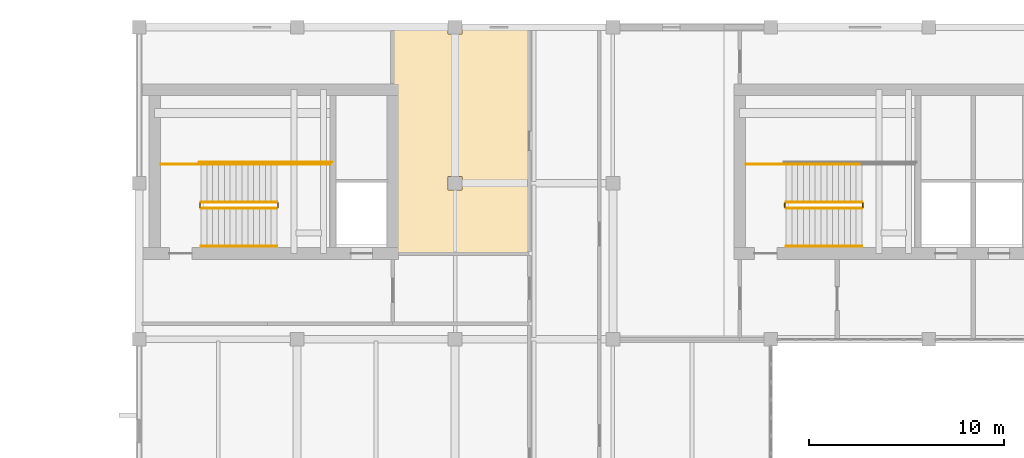
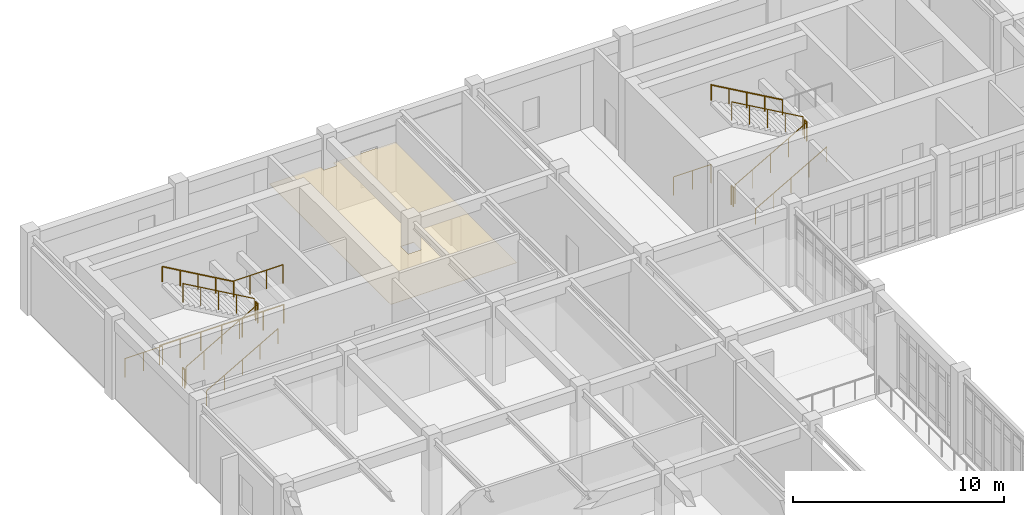
# One storey, part 58 of 61: 16 railings, 1 covering.
"""IFC4 building model written with IfcOpenShell, lengths in metres."""

from ifc_helpers import new_model, si_unit, direction, frame, origin, origin_2d, place, context, subcontext, project, spatial, polyline, circle, outline, extrude, material, layer, layer_set, type_object, element, save


model = new_model("IFC4")

# Units and contexts
model_context = context("Model", 3, precision=1e-05, world=origin(), true_north=direction((0.0, 1.0)))
body_context = subcontext(model_context, "Body", "Model", "MODEL_VIEW")
ifc_project = project(units=[si_unit("LENGTHUNIT", "METRE"), si_unit("AREAUNIT", "SQUARE_METRE"), si_unit("VOLUMEUNIT", "CUBIC_METRE"), si_unit("PLANEANGLEUNIT", "RADIAN"), si_unit("MASSUNIT", "GRAM", prefix="KILO")], contexts=[model_context])

# Site, building, storey
site_placement = place(None, origin())
site = spatial("IfcSite", under=ifc_project, at=site_placement, CompositionType="ELEMENT")
building_placement = place(site_placement, origin())
building = spatial("IfcBuilding", under=site, at=building_placement, Name="Tarnveldt Square Police Headquarters", CompositionType="ELEMENT")
storey_placement = place(building_placement, frame((0.0, 0.0, 5.39990234375)))
storey = spatial("IfcBuildingStorey", under=building, at=storey_placement, Name="L01", CompositionType="ELEMENT", Elevation=5.39990234375)

# Covering
ifc_material_1 = material(Name="Mineral-fibre acoustic ceiling tile", Category="gypsum")
ifc_layer = layer(ifc_material_1, 0.02001953125)
ifc_layer_set = layer_set([ifc_layer], Name="Mineral-fibre acoustic ceiling tile")
covering_type = type_object("IfcCoveringType", Name="COV-CEIL-20", PredefinedType="CEILING", material=ifc_layer_set)
covering_placement = place(storey_placement, frame((0.0, 0.0, 2.75)))
element("IfcCovering", 1, at=covering_placement, inside=storey, type_object=covering_type, Name="Peer Support Wellness Suite Acoustic Ceiling", PredefinedType="CEILING", context=body_context, shape_type="SweptSolid", body=[
    extrude(outline(polyline([(36.14990234375, 111.949951171875), (36.14990234375, 100.449951171875), (29.25, 100.449951171875), (29.25, 111.949951171875), (32.048095703125, 111.949951171875), (32.048095703125, 111.64794921875), (32.751953125, 111.64794921875), (32.751953125, 111.949951171875), (36.14990234375, 111.949951171875)]), holes=[polyline([(32.751953125, 104.35205078125), (32.048095703125, 104.35205078125), (32.048095703125, 103.64794921875), (32.751953125, 103.64794921875), (32.751953125, 104.35205078125)])]), origin(), (0.0, 0.0, 1.0), 0.02001953125),
])

# Railings
ifc_material_2 = material(Name="Steel 350W", Category="steel")
railing_type_1 = type_object("IfcRailingType", Name="RL-GR-1100", PredefinedType="GUARDRAIL", material=ifc_material_2)
railing_1_placement = place(storey_placement, frame((19.3701171875, 102.719970703125, 0.171630859375)))
element("IfcRailing", 2, at=railing_1_placement, inside=storey, type_object=railing_type_1, Name="L01 ST2 stair guard 1", PredefinedType="GUARDRAIL", context=body_context, shape_type="SweptSolid", body=[
    extrude(circle(Radius=0.02392578125, at=origin_2d()), frame((0.0, 0.0, 1.076171875), z_axis=(0.868243142124, 0.0, 0.496138938357), x_axis=(0.0, 1.0, 0.0)), (0.0, 0.0, 1.0), 4.49169921875),
    extrude(circle(Radius=0.02099609375, at=origin_2d()), origin(), (0.0, 0.0, 1.0), 1.052001953125),
    extrude(circle(Radius=0.02099609375, at=origin_2d()), frame((0.97509765625, 0.0, 0.55712890625)), (0.0, 0.0, 1.0), 1.052001953125),
    extrude(circle(Radius=0.02099609375, at=origin_2d()), frame((1.949951171875, 0.0, 1.1142578125)), (0.0, 0.0, 1.0), 1.052001953125),
    extrude(circle(Radius=0.02099609375, at=origin_2d()), frame((2.9248046875, 0.0, 1.67138671875)), (0.0, 0.0, 1.0), 1.052001953125),
    extrude(circle(Radius=0.02099609375, at=origin_2d()), frame((3.89990234375, 0.0, 2.228515625)), (0.0, 0.0, 1.0), 1.052001953125),
])
railing_2_placement = place(storey_placement, frame((23.320068359375, 102.77001953125, 2.400146484375)))
element("IfcRailing", 3, at=railing_2_placement, inside=storey, type_object=railing_type_1, Name="L01 ST2 stair guard 2", PredefinedType="GUARDRAIL", context=body_context, shape_type="SweptSolid", body=[
    extrude(circle(Radius=0.02392578125, at=origin_2d()), frame((0.0, 0.0, 1.076171875), z_axis=(0.0, 1.0, 0.0), x_axis=(-1.0, 0.0, 0.0)), (0.0, 0.0, 1.0), 0.199951171875),
    extrude(circle(Radius=0.02099609375, at=origin_2d()), origin(), (0.0, 0.0, 1.0), 1.052001953125),
    extrude(circle(Radius=0.02099609375, at=origin_2d()), frame((0.0, 0.199951171875, 0.0)), (0.0, 0.0, 1.0), 1.052001953125),
])
railing_3_placement = place(storey_placement, frame((23.27001953125, 104.969970703125, 2.400146484375)))
element("IfcRailing", 4, at=railing_3_placement, inside=storey, type_object=railing_type_1, Name="L01 ST2 stair guard 3", PredefinedType="GUARDRAIL", context=body_context, shape_type="SweptSolid", body=[
    extrude(circle(Radius=0.02392578125, at=origin_2d()), frame((0.0, 0.0, 1.076171875), z_axis=(1.0, 0.0, 0.0), x_axis=(0.0, 1.0, 0.0)), (0.0, 0.0, 1.0), 2.699951171875),
    extrude(circle(Radius=0.02099609375, at=origin_2d()), origin(), (0.0, 0.0, 1.0), 1.052001953125),
    extrude(circle(Radius=0.02099609375, at=origin_2d()), frame((0.89990234375, 0.0, 0.0)), (0.0, 0.0, 1.0), 1.052001953125),
    extrude(circle(Radius=0.02099609375, at=origin_2d()), frame((1.800048828125, 0.0, 0.0)), (0.0, 0.0, 1.0), 1.052001953125),
    extrude(circle(Radius=0.02099609375, at=origin_2d()), frame((2.699951171875, 0.0, 0.0)), (0.0, 0.0, 1.0), 1.052001953125),
])
railing_4_placement = place(storey_placement, frame((23.27001953125, 103.02001953125, 2.571533203125)))
element("IfcRailing", 5, at=railing_4_placement, inside=storey, type_object=railing_type_1, Name="L01 ST2 stair guard 4", PredefinedType="GUARDRAIL", context=body_context, shape_type="SweptSolid", body=[
    extrude(circle(Radius=0.02392578125, at=origin_2d()), frame((0.0, 0.0, 1.076171875), z_axis=(-0.868243142124, 0.0, 0.496138938357), x_axis=(0.0, -1.0, 0.0)), (0.0, 0.0, 1.0), 4.49169921875),
    extrude(circle(Radius=0.02099609375, at=origin_2d()), origin(), (0.0, 0.0, 1.0), 1.052001953125),
    extrude(circle(Radius=0.02099609375, at=origin_2d()), frame((-0.97509765625, 0.0, 0.55712890625)), (0.0, 0.0, 1.0), 1.052001953125),
    extrude(circle(Radius=0.02099609375, at=origin_2d()), frame((-1.949951171875, 0.0, 1.1142578125)), (0.0, 0.0, 1.0), 1.052001953125),
    extrude(circle(Radius=0.02099609375, at=origin_2d()), frame((-2.9248046875, 0.0, 1.67138671875)), (0.0, 0.0, 1.0), 1.052001953125),
    extrude(circle(Radius=0.02099609375, at=origin_2d()), frame((-3.89990234375, 0.0, 2.228515625)), (0.0, 0.0, 1.0), 1.052001953125),
])
railing_5_placement = place(storey_placement, frame((19.320068359375, 102.77001953125, 0.0)))
element("IfcRailing", 6, at=railing_5_placement, inside=storey, type_object=railing_type_1, Name="L01 ST2 stair guard 5", PredefinedType="GUARDRAIL", context=body_context, shape_type="SweptSolid", body=[
    extrude(circle(Radius=0.02392578125, at=origin_2d()), frame((0.0, 0.0, 1.076171875), z_axis=(0.0, 1.0, 0.0), x_axis=(-1.0, 0.0, 0.0)), (0.0, 0.0, 1.0), 0.199951171875),
    extrude(circle(Radius=0.02099609375, at=origin_2d()), origin(), (0.0, 0.0, 1.0), 1.052001953125),
    extrude(circle(Radius=0.02099609375, at=origin_2d()), frame((0.0, 0.199951171875, 0.0)), (0.0, 0.0, 1.0), 1.052001953125),
])
railing_6_placement = place(storey_placement, frame((17.320068359375, 104.969970703125, 0.0)))
element("IfcRailing", 7, at=railing_6_placement, inside=storey, type_object=railing_type_1, Name="L01 ST2 stair guard 6", PredefinedType="GUARDRAIL", context=body_context, shape_type="SweptSolid", body=[
    extrude(circle(Radius=0.02392578125, at=origin_2d()), frame((0.0, 0.0, 1.076171875), z_axis=(1.0, 0.0, 0.0), x_axis=(0.0, 1.0, 0.0)), (0.0, 0.0, 1.0), 2.050048828125),
    extrude(circle(Radius=0.02099609375, at=origin_2d()), origin(), (0.0, 0.0, 1.0), 1.052001953125),
    extrude(circle(Radius=0.02099609375, at=origin_2d()), frame((1.02490234375, 0.0, 0.0)), (0.0, 0.0, 1.0), 1.052001953125),
    extrude(circle(Radius=0.02099609375, at=origin_2d()), frame((2.050048828125, 0.0, 0.0)), (0.0, 0.0, 1.0), 1.052001953125),
])
railing_7_placement = place(storey_placement, frame((19.27001953125, 105.070068359375, 0.0)))
element("IfcRailing", 8, at=railing_7_placement, inside=storey, type_object=railing_type_1, Name="L01 ST2 stair guard 7", PredefinedType="GUARDRAIL", context=body_context, shape_type="SweptSolid", body=[
    extrude(circle(Radius=0.02392578125, at=origin_2d()), frame((0.0, 0.0, 1.076171875), z_axis=(1.0, 0.0, 0.0), x_axis=(0.0, 1.0, 0.0)), (0.0, 0.0, 1.0), 6.800048828125),
    extrude(circle(Radius=0.02099609375, at=origin_2d()), origin(), (0.0, 0.0, 1.0), 1.052001953125),
    extrude(circle(Radius=0.02099609375, at=origin_2d()), frame((1.13330078125, 0.0, 0.0)), (0.0, 0.0, 1.0), 1.052001953125),
    extrude(circle(Radius=0.02099609375, at=origin_2d()), frame((2.2666015625, 0.0, 0.0)), (0.0, 0.0, 1.0), 1.052001953125),
    extrude(circle(Radius=0.02099609375, at=origin_2d()), frame((3.39990234375, 0.0, 0.0)), (0.0, 0.0, 1.0), 1.052001953125),
    extrude(circle(Radius=0.02099609375, at=origin_2d()), frame((4.533447265625, 0.0, 0.0)), (0.0, 0.0, 1.0), 1.052001953125),
    extrude(circle(Radius=0.02099609375, at=origin_2d()), frame((5.666748046875, 0.0, 0.0)), (0.0, 0.0, 1.0), 1.052001953125),
    extrude(circle(Radius=0.02099609375, at=origin_2d()), frame((6.800048828125, 0.0, 0.0)), (0.0, 0.0, 1.0), 1.052001953125),
])
railing_8_placement = place(storey_placement, frame((49.3701171875, 102.719970703125, 0.171630859375)))
element("IfcRailing", 9, at=railing_8_placement, inside=storey, type_object=railing_type_1, Name="L01 ST3 stair guard 1", PredefinedType="GUARDRAIL", context=body_context, shape_type="SweptSolid", body=[
    extrude(circle(Radius=0.02392578125, at=origin_2d()), frame((0.0, 0.0, 1.076171875), z_axis=(0.868243142124, 0.0, 0.496138938357), x_axis=(0.0, 1.0, 0.0)), (0.0, 0.0, 1.0), 4.49169921875),
    extrude(circle(Radius=0.02099609375, at=origin_2d()), origin(), (0.0, 0.0, 1.0), 1.052001953125),
    extrude(circle(Radius=0.02099609375, at=origin_2d()), frame((0.97509765625, 0.0, 0.55712890625)), (0.0, 0.0, 1.0), 1.052001953125),
    extrude(circle(Radius=0.02099609375, at=origin_2d()), frame((1.949951171875, 0.0, 1.1142578125)), (0.0, 0.0, 1.0), 1.052001953125),
    extrude(circle(Radius=0.02099609375, at=origin_2d()), frame((2.9248046875, 0.0, 1.67138671875)), (0.0, 0.0, 1.0), 1.052001953125),
    extrude(circle(Radius=0.02099609375, at=origin_2d()), frame((3.89990234375, 0.0, 2.228515625)), (0.0, 0.0, 1.0), 1.052001953125),
])
railing_9_placement = place(storey_placement, frame((53.320068359375, 102.77001953125, 2.400146484375)))
element("IfcRailing", 10, at=railing_9_placement, inside=storey, type_object=railing_type_1, Name="L01 ST3 stair guard 2", PredefinedType="GUARDRAIL", context=body_context, shape_type="SweptSolid", body=[
    extrude(circle(Radius=0.02392578125, at=origin_2d()), frame((0.0, 0.0, 1.076171875), z_axis=(0.0, 1.0, 0.0), x_axis=(-1.0, 0.0, 0.0)), (0.0, 0.0, 1.0), 0.199951171875),
    extrude(circle(Radius=0.02099609375, at=origin_2d()), origin(), (0.0, 0.0, 1.0), 1.052001953125),
    extrude(circle(Radius=0.02099609375, at=origin_2d()), frame((0.0, 0.199951171875, 0.0)), (0.0, 0.0, 1.0), 1.052001953125),
])
railing_10_placement = place(storey_placement, frame((53.27001953125, 103.02001953125, 2.571533203125)))
element("IfcRailing", 11, at=railing_10_placement, inside=storey, type_object=railing_type_1, Name="L01 ST3 stair guard 4", PredefinedType="GUARDRAIL", context=body_context, shape_type="SweptSolid", body=[
    extrude(circle(Radius=0.02392578125, at=origin_2d()), frame((0.0, 0.0, 1.076171875), z_axis=(-0.868243142124, 0.0, 0.496138938357), x_axis=(0.0, -1.0, 0.0)), (0.0, 0.0, 1.0), 4.49169921875),
    extrude(circle(Radius=0.02099609375, at=origin_2d()), origin(), (0.0, 0.0, 1.0), 1.052001953125),
    extrude(circle(Radius=0.02099609375, at=origin_2d()), frame((-0.97509765625, 0.0, 0.55712890625)), (0.0, 0.0, 1.0), 1.052001953125),
    extrude(circle(Radius=0.02099609375, at=origin_2d()), frame((-1.949951171875, 0.0, 1.1142578125)), (0.0, 0.0, 1.0), 1.052001953125),
    extrude(circle(Radius=0.02099609375, at=origin_2d()), frame((-2.9248046875, 0.0, 1.67138671875)), (0.0, 0.0, 1.0), 1.052001953125),
    extrude(circle(Radius=0.02099609375, at=origin_2d()), frame((-3.89990234375, 0.0, 2.228515625)), (0.0, 0.0, 1.0), 1.052001953125),
])
railing_11_placement = place(storey_placement, frame((49.320068359375, 102.77001953125, 0.0)))
element("IfcRailing", 12, at=railing_11_placement, inside=storey, type_object=railing_type_1, Name="L01 ST3 stair guard 5", PredefinedType="GUARDRAIL", context=body_context, shape_type="SweptSolid", body=[
    extrude(circle(Radius=0.02392578125, at=origin_2d()), frame((0.0, 0.0, 1.076171875), z_axis=(0.0, 1.0, 0.0), x_axis=(-1.0, 0.0, 0.0)), (0.0, 0.0, 1.0), 0.199951171875),
    extrude(circle(Radius=0.02099609375, at=origin_2d()), origin(), (0.0, 0.0, 1.0), 1.052001953125),
    extrude(circle(Radius=0.02099609375, at=origin_2d()), frame((0.0, 0.199951171875, 0.0)), (0.0, 0.0, 1.0), 1.052001953125),
])
railing_12_placement = place(storey_placement, frame((47.320068359375, 104.969970703125, 0.0)))
element("IfcRailing", 13, at=railing_12_placement, inside=storey, type_object=railing_type_1, Name="L01 ST3 stair guard 6", PredefinedType="GUARDRAIL", context=body_context, shape_type="SweptSolid", body=[
    extrude(circle(Radius=0.02392578125, at=origin_2d()), frame((0.0, 0.0, 1.076171875), z_axis=(1.0, 0.0, 0.0), x_axis=(0.0, 1.0, 0.0)), (0.0, 0.0, 1.0), 2.050048828125),
    extrude(circle(Radius=0.02099609375, at=origin_2d()), origin(), (0.0, 0.0, 1.0), 1.052001953125),
    extrude(circle(Radius=0.02099609375, at=origin_2d()), frame((1.02490234375, 0.0, 0.0)), (0.0, 0.0, 1.0), 1.052001953125),
    extrude(circle(Radius=0.02099609375, at=origin_2d()), frame((2.050048828125, 0.0, 0.0)), (0.0, 0.0, 1.0), 1.052001953125),
])
railing_type_2 = type_object("IfcRailingType", Name="RL-HR-900", PredefinedType="HANDRAIL", material=ifc_material_2)
railing_13_placement = place(storey_placement, frame((19.3701171875, 100.77001953125, 0.171630859375)))
element("IfcRailing", 14, at=railing_13_placement, inside=storey, type_object=railing_type_2, Name="L01 ST2 stair handrail 1", PredefinedType="HANDRAIL", context=body_context, shape_type="SweptSolid", body=[
    extrude(circle(Radius=0.02392578125, at=origin_2d()), frame((0.0, 0.0, 0.8759765625), z_axis=(0.868243142124, 0.0, 0.496138938357), x_axis=(0.0, 1.0, 0.0)), (0.0, 0.0, 1.0), 4.49169921875),
    extrude(circle(Radius=0.02099609375, at=origin_2d()), origin(), (0.0, 0.0, 1.0), 0.851806640625),
    extrude(circle(Radius=0.02099609375, at=origin_2d()), frame((0.97509765625, 0.0, 0.55712890625)), (0.0, 0.0, 1.0), 0.851806640625),
    extrude(circle(Radius=0.02099609375, at=origin_2d()), frame((1.949951171875, 0.0, 1.1142578125)), (0.0, 0.0, 1.0), 0.851806640625),
    extrude(circle(Radius=0.02099609375, at=origin_2d()), frame((2.9248046875, 0.0, 1.67138671875)), (0.0, 0.0, 1.0), 0.851806640625),
    extrude(circle(Radius=0.02099609375, at=origin_2d()), frame((3.89990234375, 0.0, 2.228515625)), (0.0, 0.0, 1.0), 0.851806640625),
])
railing_14_placement = place(storey_placement, frame((23.27001953125, 104.969970703125, 2.571533203125)))
element("IfcRailing", 15, at=railing_14_placement, inside=storey, type_object=railing_type_2, Name="L01 ST2 stair handrail 2", PredefinedType="HANDRAIL", context=body_context, shape_type="SweptSolid", body=[
    extrude(circle(Radius=0.02392578125, at=origin_2d()), frame((0.0, 0.0, 0.8759765625), z_axis=(-0.868243142124, 0.0, 0.496138938357), x_axis=(0.0, -1.0, 0.0)), (0.0, 0.0, 1.0), 4.49169921875),
    extrude(circle(Radius=0.02099609375, at=origin_2d()), origin(), (0.0, 0.0, 1.0), 0.851806640625),
    extrude(circle(Radius=0.02099609375, at=origin_2d()), frame((-0.97509765625, 0.0, 0.55712890625)), (0.0, 0.0, 1.0), 0.851806640625),
    extrude(circle(Radius=0.02099609375, at=origin_2d()), frame((-1.949951171875, 0.0, 1.1142578125)), (0.0, 0.0, 1.0), 0.851806640625),
    extrude(circle(Radius=0.02099609375, at=origin_2d()), frame((-2.9248046875, 0.0, 1.67138671875)), (0.0, 0.0, 1.0), 0.851806640625),
    extrude(circle(Radius=0.02099609375, at=origin_2d()), frame((-3.89990234375, 0.0, 2.228515625)), (0.0, 0.0, 1.0), 0.851806640625),
])
railing_15_placement = place(storey_placement, frame((49.3701171875, 100.77001953125, 0.171630859375)))
element("IfcRailing", 16, at=railing_15_placement, inside=storey, type_object=railing_type_2, Name="L01 ST3 stair handrail 1", PredefinedType="HANDRAIL", context=body_context, shape_type="SweptSolid", body=[
    extrude(circle(Radius=0.02392578125, at=origin_2d()), frame((0.0, 0.0, 0.8759765625), z_axis=(0.868243142124, 0.0, 0.496138938357), x_axis=(0.0, 1.0, 0.0)), (0.0, 0.0, 1.0), 4.49169921875),
    extrude(circle(Radius=0.02099609375, at=origin_2d()), origin(), (0.0, 0.0, 1.0), 0.851806640625),
    extrude(circle(Radius=0.02099609375, at=origin_2d()), frame((0.97509765625, 0.0, 0.55712890625)), (0.0, 0.0, 1.0), 0.851806640625),
    extrude(circle(Radius=0.02099609375, at=origin_2d()), frame((1.949951171875, 0.0, 1.1142578125)), (0.0, 0.0, 1.0), 0.851806640625),
    extrude(circle(Radius=0.02099609375, at=origin_2d()), frame((2.9248046875, 0.0, 1.67138671875)), (0.0, 0.0, 1.0), 0.851806640625),
    extrude(circle(Radius=0.02099609375, at=origin_2d()), frame((3.89990234375, 0.0, 2.228515625)), (0.0, 0.0, 1.0), 0.851806640625),
])
railing_16_placement = place(storey_placement, frame((53.27001953125, 104.969970703125, 2.571533203125)))
element("IfcRailing", 17, at=railing_16_placement, inside=storey, type_object=railing_type_2, Name="L01 ST3 stair handrail 2", PredefinedType="HANDRAIL", context=body_context, shape_type="SweptSolid", body=[
    extrude(circle(Radius=0.02392578125, at=origin_2d()), frame((0.0, 0.0, 0.8759765625), z_axis=(-0.868243142124, 0.0, 0.496138938357), x_axis=(0.0, -1.0, 0.0)), (0.0, 0.0, 1.0), 4.49169921875),
    extrude(circle(Radius=0.02099609375, at=origin_2d()), origin(), (0.0, 0.0, 1.0), 0.851806640625),
    extrude(circle(Radius=0.02099609375, at=origin_2d()), frame((-0.97509765625, 0.0, 0.55712890625)), (0.0, 0.0, 1.0), 0.851806640625),
    extrude(circle(Radius=0.02099609375, at=origin_2d()), frame((-1.949951171875, 0.0, 1.1142578125)), (0.0, 0.0, 1.0), 0.851806640625),
    extrude(circle(Radius=0.02099609375, at=origin_2d()), frame((-2.9248046875, 0.0, 1.67138671875)), (0.0, 0.0, 1.0), 0.851806640625),
    extrude(circle(Radius=0.02099609375, at=origin_2d()), frame((-3.89990234375, 0.0, 2.228515625)), (0.0, 0.0, 1.0), 0.851806640625),
])

save(model, "model.ifc")
